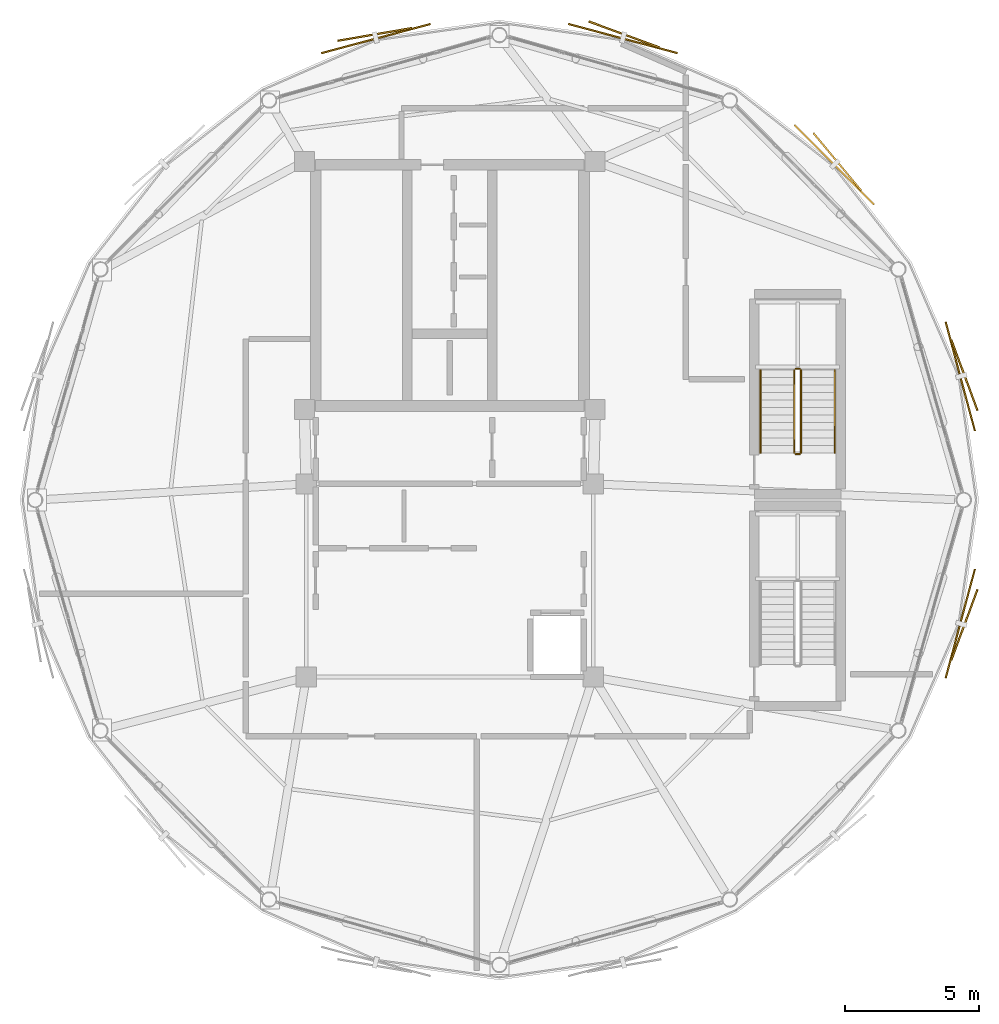
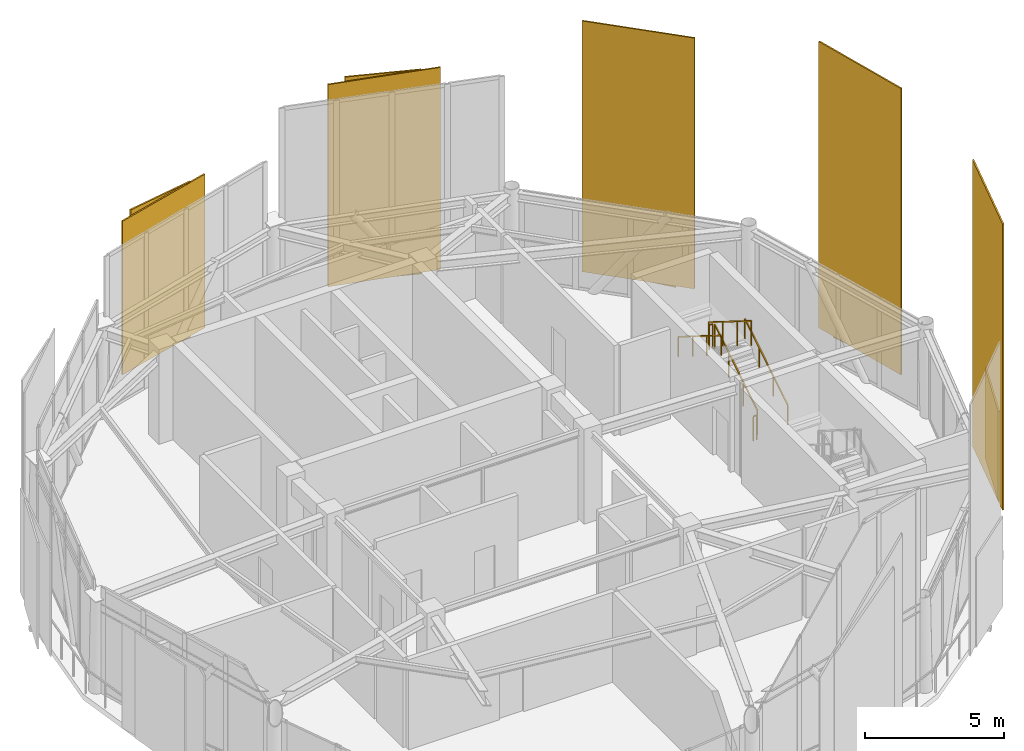
# One storey, part 20 of 20: 6 railings, 5 coverings, 5 shading devices.
"""IFC4 building model written with IfcOpenShell, lengths in metres."""

from ifc_helpers import new_model, si_unit, direction, frame, origin, origin_2d, place, context, subcontext, project, spatial, rectangle, extrude, source, transform, mapped, material, layer, layer_set, type_object, type_shapes, element, save


model = new_model("IFC4")

# Units and contexts
model_context = context("Model", 3, precision=1e-05, world=origin(), true_north=direction((0.0, 1.0)))
body_context = subcontext(model_context, "Body", "Model", "MODEL_VIEW")
ifc_project = project(units=[si_unit("LENGTHUNIT", "METRE"), si_unit("AREAUNIT", "SQUARE_METRE"), si_unit("VOLUMEUNIT", "CUBIC_METRE"), si_unit("PLANEANGLEUNIT", "RADIAN"), si_unit("MASSUNIT", "GRAM", prefix="KILO")], contexts=[model_context])

# Site, building, storey
site_placement = place(None, origin())
site = spatial("IfcSite", under=ifc_project, at=site_placement, CompositionType="ELEMENT")
building_placement = place(site_placement, origin())
building = spatial("IfcBuilding", under=site, at=building_placement, Name="Varnakorn Sky Granary", CompositionType="ELEMENT")
storey_placement = place(building_placement, frame((0.0, 0.0, 310.800048828125)))
storey = spatial("IfcBuildingStorey", under=building, at=storey_placement, Name="L79", CompositionType="ELEMENT", Elevation=310.800048828125)

# Railings
ifc_material_1 = material(Name="Brushed Stainless Steel 316", Category="steel")
railing_type_1 = type_object("IfcRailingType", Name="RL-STAIR-1100", PredefinedType="GUARDRAIL", material=ifc_material_1)
railing_1_placement = place(storey_placement, frame((16.090087890625, 1.760009765625, 0.175048828125)))
element("IfcRailing", 1, at=railing_1_placement, inside=storey, type_object=railing_type_1, Name="L79 ST-C1 stair guard 1", PredefinedType="GUARDRAIL", context=body_context, shape_type="SweptSolid", body=[
    extrude(rectangle(XDim=0.048095703125, YDim=0.048095703125, at=origin_2d()), frame((0.0, 0.0, 1.076171875), z_axis=(0.0, 0.848028513186, 0.529950602248), x_axis=(-1.0, 0.0, 0.0)), (0.0, 0.0, 1.0), 3.632080078125),
    extrude(rectangle(XDim=0.0419921875, YDim=0.0419921875, at=origin_2d()), origin(), (0.0, 0.0, 1.0), 1.048095703125),
    extrude(rectangle(XDim=0.0419921875, YDim=0.0419921875, at=origin_2d()), frame((0.0, 1.026611328125, 0.6416015625)), (0.0, 0.0, 1.0), 1.048095703125),
    extrude(rectangle(XDim=0.0419921875, YDim=0.0419921875, at=origin_2d()), frame((0.0, 2.053466796875, 1.283203125)), (0.0, 0.0, 1.0), 1.048095703125),
    extrude(rectangle(XDim=0.0419921875, YDim=0.0419921875, at=origin_2d()), frame((0.0, 3.080078125, 1.9248046875)), (0.0, 0.0, 1.0), 1.048095703125),
])
railing_2_placement = place(storey_placement, frame((16.0400390625, 4.889892578125, 2.099853515625)))
element("IfcRailing", 2, at=railing_2_placement, inside=storey, type_object=railing_type_1, Name="L79 ST-C1 stair guard 2", PredefinedType="GUARDRAIL", context=body_context, shape_type="SweptSolid", body=[
    extrude(rectangle(XDim=0.048095703125, YDim=0.048095703125, at=origin_2d()), frame((0.0, 0.0, 1.076171875), z_axis=(-1.0, 0.0, 0.0), x_axis=(0.0, -1.0, 0.0)), (0.0, 0.0, 1.0), 0.150146484375),
    extrude(rectangle(XDim=0.0419921875, YDim=0.0419921875, at=origin_2d()), origin(), (0.0, 0.0, 1.0), 1.048095703125),
    extrude(rectangle(XDim=0.0419921875, YDim=0.0419921875, at=origin_2d()), frame((-0.150146484375, 0.0, 0.0)), (0.0, 0.0, 1.0), 1.048095703125),
])
railing_3_placement = place(storey_placement, frame((15.840087890625, 4.840087890625, 2.27490234375)))
element("IfcRailing", 3, at=railing_3_placement, inside=storey, type_object=railing_type_1, Name="L79 ST-C1 stair guard 3", PredefinedType="GUARDRAIL", context=body_context, shape_type="SweptSolid", body=[
    extrude(rectangle(XDim=0.048095703125, YDim=0.048095703125, at=origin_2d()), frame((0.0, 0.0, 1.076171875), z_axis=(0.0, -0.847998304005, 0.529998940003), x_axis=(1.0, 0.0, 0.0)), (0.0, 0.0, 1.0), 3.632080078125),
    extrude(rectangle(XDim=0.0419921875, YDim=0.0419921875, at=origin_2d()), origin(), (0.0, 0.0, 1.0), 1.048095703125),
    extrude(rectangle(XDim=0.0419921875, YDim=0.0419921875, at=origin_2d()), frame((0.0, -1.026611328125, 0.6416015625)), (0.0, 0.0, 1.0), 1.048095703125),
    extrude(rectangle(XDim=0.0419921875, YDim=0.0419921875, at=origin_2d()), frame((0.0, -2.053466796875, 1.283447265625)), (0.0, 0.0, 1.0), 1.048095703125),
    extrude(rectangle(XDim=0.0419921875, YDim=0.0419921875, at=origin_2d()), frame((0.0, -3.080078125, 1.925048828125)), (0.0, 0.0, 1.0), 1.048095703125),
])
railing_4_placement = place(storey_placement, frame((16.0400390625, 1.7099609375, 0.0)))
element("IfcRailing", 4, at=railing_4_placement, inside=storey, type_object=railing_type_1, Name="L79 ST-C1 stair guard 4", PredefinedType="GUARDRAIL", context=body_context, shape_type="SweptSolid", body=[
    extrude(rectangle(XDim=0.048095703125, YDim=0.048095703125, at=origin_2d()), frame((0.0, 0.0, 1.076171875), z_axis=(-1.0, 0.0, 0.0), x_axis=(0.0, -1.0, 0.0)), (0.0, 0.0, 1.0), 0.150146484375),
    extrude(rectangle(XDim=0.0419921875, YDim=0.0419921875, at=origin_2d()), origin(), (0.0, 0.0, 1.0), 1.048095703125),
    extrude(rectangle(XDim=0.0419921875, YDim=0.0419921875, at=origin_2d()), frame((-0.150146484375, 0.0, 0.0)), (0.0, 0.0, 1.0), 1.048095703125),
])
railing_type_2 = type_object("IfcRailingType", Name="RL-STAIR-920", PredefinedType="HANDRAIL", material=ifc_material_1)
railing_5_placement = place(storey_placement, frame((17.35009765625, 1.760009765625, 0.175048828125)))
element("IfcRailing", 5, at=railing_5_placement, inside=storey, type_object=railing_type_2, Name="L79 ST-C1 stair handrail 1", PredefinedType="HANDRAIL", context=body_context, shape_type="SweptSolid", body=[
    extrude(rectangle(XDim=0.048095703125, YDim=0.048095703125, at=origin_2d()), frame((0.0, 0.0, 0.8759765625), z_axis=(0.0, 0.848028513186, 0.529950602248), x_axis=(-1.0, 0.0, 0.0)), (0.0, 0.0, 1.0), 3.632080078125),
    extrude(rectangle(XDim=0.0419921875, YDim=0.0419921875, at=origin_2d()), origin(), (0.0, 0.0, 1.0), 0.847900390625),
    extrude(rectangle(XDim=0.0419921875, YDim=0.0419921875, at=origin_2d()), frame((0.0, 1.026611328125, 0.6416015625)), (0.0, 0.0, 1.0), 0.847900390625),
    extrude(rectangle(XDim=0.0419921875, YDim=0.0419921875, at=origin_2d()), frame((0.0, 2.053466796875, 1.283203125)), (0.0, 0.0, 1.0), 0.847900390625),
    extrude(rectangle(XDim=0.0419921875, YDim=0.0419921875, at=origin_2d()), frame((0.0, 3.080078125, 1.9248046875)), (0.0, 0.0, 1.0), 0.847900390625),
])
railing_6_placement = place(storey_placement, frame((14.580078125, 4.840087890625, 2.27490234375)))
element("IfcRailing", 6, at=railing_6_placement, inside=storey, type_object=railing_type_2, Name="L79 ST-C1 stair handrail 2", PredefinedType="HANDRAIL", context=body_context, shape_type="SweptSolid", body=[
    extrude(rectangle(XDim=0.048095703125, YDim=0.048095703125, at=origin_2d()), frame((0.0, 0.0, 0.8759765625), z_axis=(0.0, -0.847998304005, 0.529998940003), x_axis=(1.0, 0.0, 0.0)), (0.0, 0.0, 1.0), 3.632080078125),
    extrude(rectangle(XDim=0.0419921875, YDim=0.0419921875, at=origin_2d()), origin(), (0.0, 0.0, 1.0), 0.847900390625),
    extrude(rectangle(XDim=0.0419921875, YDim=0.0419921875, at=origin_2d()), frame((0.0, -1.026611328125, 0.6416015625)), (0.0, 0.0, 1.0), 0.847900390625),
    extrude(rectangle(XDim=0.0419921875, YDim=0.0419921875, at=origin_2d()), frame((0.0, -2.053466796875, 1.283447265625)), (0.0, 0.0, 1.0), 0.847900390625),
    extrude(rectangle(XDim=0.0419921875, YDim=0.0419921875, at=origin_2d()), frame((0.0, -3.080078125, 1.925048828125)), (0.0, 0.0, 1.0), 0.847900390625),
])

# Shading devices
ifc_material_2 = material(Name="Anodised Bronze Aluminium Alloy 6063-T6", Category="aluminium")
shading_device_type = type_object("IfcShadingDeviceType", Name="SH-SCR-03", PredefinedType="USERDEFINED", material=ifc_material_2)
shared_shape_1 = source(origin(), body_context, "Body", "SweptSolid", [
    extrude(rectangle(XDim=2.800048828125, YDim=0.06494140625, at=origin_2d()), origin(), (0.0, 0.0, 1.0), 3.9599609375),
])
for number, where, z_axis, x_axis, name in (
    (7, (22.1845703125, 4.650390625, -0.0400390625), (0.0, 0.0, 1.0), (-0.346405954975, 0.938084705321, 0.0), "Perforated Bronze Solar Screen Panel SCREEN L79-01"),
    (8, (17.444091796875, 12.60986328125, -0.0400390625), (0.0, 0.0, 1.0), (-0.639918153418, 0.768443073315, 0.0), "Perforated Bronze Solar Screen Panel SCREEN L79-02"),
    (9, (22.1845703125, -4.650390625, -0.0400390625), (0.0, 0.0, 1.0), (0.346405954975, 0.938084705321, 0.0), "Perforated Bronze Solar Screen Panel SCREEN L79-12"),
):
    element("IfcShadingDevice", number, at=place(storey_placement, frame(where, z_axis=z_axis, x_axis=x_axis)), inside=storey, type_object=shading_device_type, Name=name, ObjectType="SCREEN", PredefinedType="USERDEFINED", context=body_context, shape_type="MappedRepresentation", body=[
        mapped(shared_shape_1, transform((0.0, 0.0, 0.0), x_axis=(1.0, 0.0, 0.0), y_axis=(0.0, 1.0, 0.0), z_axis=(0.0, 0.0, 1.0), scale=1.0)),
    ])
shared_shape_2 = source(origin(), body_context, "Body", "SweptSolid", [
    extrude(rectangle(XDim=2.800048828125, YDim=0.06494140625, at=origin_2d()), origin(), (0.0, 0.0, 1.0), 9.0068359375),
])
shading_device_1_placement = place(storey_placement, frame((9.49462890625, 17.355712890625, -0.0400390625), z_axis=(0.0, 0.0, 1.0), x_axis=(-0.938297571584, 0.345828956508, 0.0)))
element("IfcShadingDevice", 10, at=shading_device_1_placement, inside=storey, type_object=shading_device_type, Name="Perforated Bronze Solar Screen Panel SCREEN L79-03", ObjectType="SCREEN", PredefinedType="USERDEFINED", context=body_context, shape_type="MappedRepresentation", body=[
    mapped(shared_shape_2, transform((0.0, 0.0, 0.0), x_axis=(1.0, 0.0, 0.0), y_axis=(0.0, 1.0, 0.0), z_axis=(0.0, 0.0, 1.0), scale=1.0)),
])
shared_shape_3 = source(origin(), body_context, "Body", "SweptSolid", [
    extrude(rectangle(XDim=2.800048828125, YDim=0.06494140625, at=origin_2d()), origin(), (0.0, 0.0, 1.0), 6.864501953125),
])
type_shapes(shading_device_type, [shared_shape_1, shared_shape_2, shared_shape_3])
shading_device_2_placement = place(storey_placement, frame((0.205322265625, 17.355712890625, -0.0400390625), z_axis=(0.0, 0.0, 1.0), x_axis=(-0.985608013635, -0.169046867639, 0.0)))
element("IfcShadingDevice", 11, at=shading_device_2_placement, inside=storey, type_object=shading_device_type, Name="Perforated Bronze Solar Screen Panel SCREEN L79-04", ObjectType="SCREEN", PredefinedType="USERDEFINED", context=body_context, shape_type="MappedRepresentation", body=[
    mapped(shared_shape_3, transform((0.0, 0.0, 0.0), x_axis=(1.0, 0.0, 0.0), y_axis=(0.0, 1.0, 0.0), z_axis=(0.0, 0.0, 1.0), scale=1.0)),
])

# Coverings
ifc_layer = layer(ifc_material_2, 0.050048828125, Name="Anodised Bronze Aluminium Alloy 6063-T6")
ifc_layer_set = layer_set([ifc_layer], Name="Anodised Bronze Aluminium Alloy 6063-T6")
covering_type = type_object("IfcCoveringType", Name="CV-CLAD-50", PredefinedType="CLADDING", material=ifc_layer_set)
shared_shape_4 = source(origin(), body_context, "Body", "SweptSolid", [
    extrude(rectangle(XDim=4.199951171875, YDim=0.06005859375, at=origin_2d()), origin(), (0.0, 0.0, 1.0), 12.617919921875),
])
for number, where, z_axis, x_axis, name in (
    (12, (22.030029296875, 4.60888671875, 0.0498046875), (0.0, 0.0, 1.0), (-0.259116487925, 0.965846077636, 0.0), "Crown Louvre Cladding Screen L79-01"),
    (13, (22.030029296875, -4.60888671875, 0.0498046875), (0.0, 0.0, 1.0), (0.259116487925, 0.965846077636, 0.0), "Crown Louvre Cladding Screen L79-12"),
):
    element("IfcCovering", number, at=place(storey_placement, frame(where, z_axis=z_axis, x_axis=x_axis)), inside=storey, type_object=covering_type, Name=name, PredefinedType="CLADDING", context=body_context, shape_type="MappedRepresentation", body=[
        mapped(shared_shape_4, transform((0.0, 0.0, 0.0), x_axis=(1.0, 0.0, 0.0), y_axis=(0.0, 1.0, 0.0), z_axis=(0.0, 0.0, 1.0), scale=1.0)),
    ])
shared_shape_5 = source(origin(), body_context, "Body", "SweptSolid", [
    extrude(rectangle(XDim=4.199951171875, YDim=0.06005859375, at=origin_2d()), origin(), (0.0, 0.0, 1.0), 11.04931640625),
])
covering_1_placement = place(storey_placement, frame((17.3310546875, 12.49658203125, 0.050048828125), z_axis=(0.0, 0.0, 1.0), x_axis=(-0.707547435477, 0.706665852118, 0.0)))
element("IfcCovering", 14, at=covering_1_placement, inside=storey, type_object=covering_type, Name="Crown Louvre Cladding Screen L79-02", PredefinedType="CLADDING", context=body_context, shape_type="MappedRepresentation", body=[
    mapped(shared_shape_5, transform((0.0, 0.0, 0.0), x_axis=(1.0, 0.0, 0.0), y_axis=(0.0, 1.0, 0.0), z_axis=(0.0, 0.0, 1.0), scale=1.0)),
])
shared_shape_6 = source(origin(), body_context, "Body", "SweptSolid", [
    extrude(rectangle(XDim=4.199951171875, YDim=0.06005859375, at=origin_2d()), origin(), (0.0, 0.0, 1.0), 8.906982421875),
])
covering_2_placement = place(storey_placement, frame((9.453369140625, 17.201171875, 0.0498046875), z_axis=(0.0, 0.0, 1.0), x_axis=(-0.966005254616, 0.258522432401, 0.0)))
element("IfcCovering", 15, at=covering_2_placement, inside=storey, type_object=covering_type, Name="Crown Louvre Cladding Screen L79-03", PredefinedType="CLADDING", context=body_context, shape_type="MappedRepresentation", body=[
    mapped(shared_shape_6, transform((0.0, 0.0, 0.0), x_axis=(1.0, 0.0, 0.0), y_axis=(0.0, 1.0, 0.0), z_axis=(0.0, 0.0, 1.0), scale=1.0)),
])
shared_shape_7 = source(origin(), body_context, "Body", "SweptSolid", [
    extrude(rectangle(XDim=4.199951171875, YDim=0.06005859375, at=origin_2d()), origin(), (0.0, 0.0, 1.0), 6.764404296875),
])
type_shapes(covering_type, [shared_shape_4, shared_shape_5, shared_shape_6, shared_shape_7])
covering_3_placement = place(storey_placement, frame((0.24658203125, 17.201171875, 0.0498046875), z_axis=(0.0, 0.0, 1.0), x_axis=(-0.966005254616, -0.258522432401, 0.0)))
element("IfcCovering", 16, at=covering_3_placement, inside=storey, type_object=covering_type, Name="Crown Louvre Cladding Screen L79-04", PredefinedType="CLADDING", context=body_context, shape_type="MappedRepresentation", body=[
    mapped(shared_shape_7, transform((0.0, 0.0, 0.0), x_axis=(1.0, 0.0, 0.0), y_axis=(0.0, 1.0, 0.0), z_axis=(0.0, 0.0, 1.0), scale=1.0)),
])

save(model, "model.ifc")
